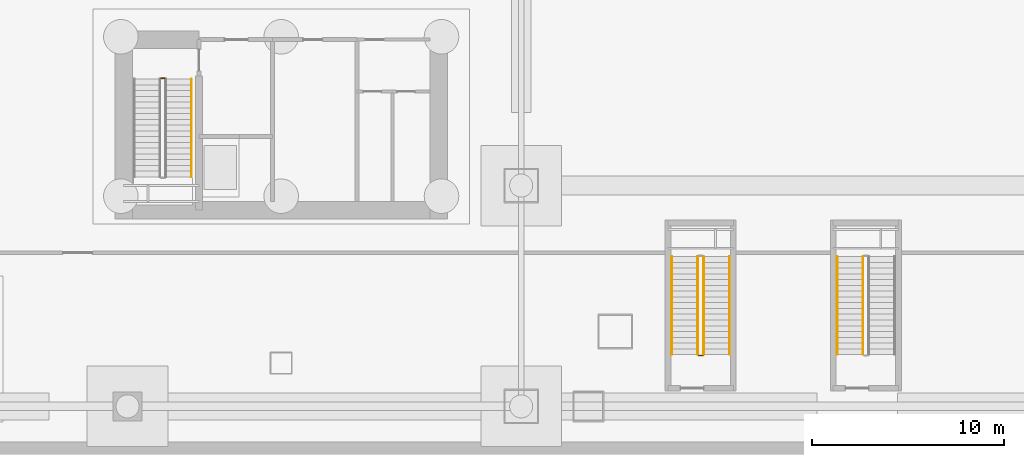
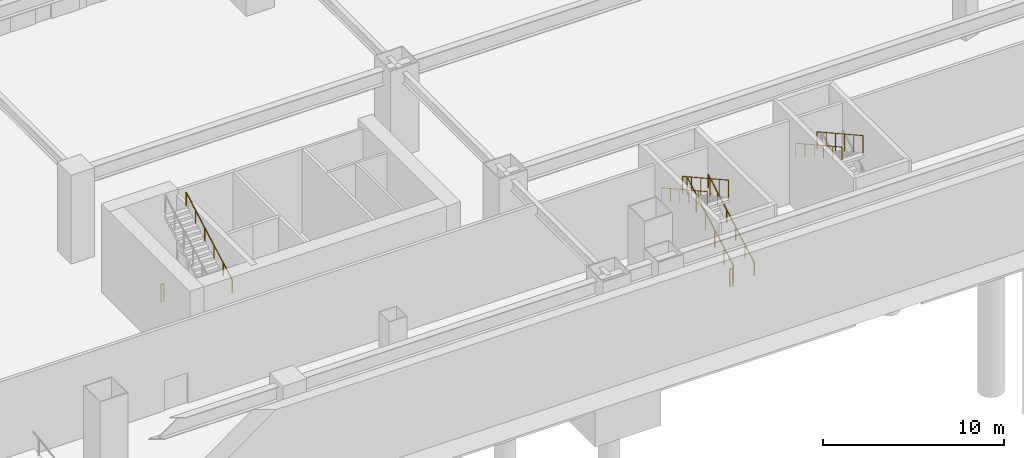
# One storey, part 16 of 20: 9 railings.
"""IFC4 building model written with IfcOpenShell, lengths in metres."""

from ifc_helpers import new_model, si_unit, direction, frame, origin, origin_2d, place, context, subcontext, project, spatial, circle, extrude, material, type_object, element, save


model = new_model("IFC4")

# Units and contexts
model_context = context("Model", 3, precision=1e-05, world=origin(), true_north=direction((0.0, 1.0)))
body_context = subcontext(model_context, "Body", "Model", "MODEL_VIEW")
ifc_project = project(units=[si_unit("LENGTHUNIT", "METRE"), si_unit("AREAUNIT", "SQUARE_METRE"), si_unit("VOLUMEUNIT", "CUBIC_METRE"), si_unit("PLANEANGLEUNIT", "RADIAN"), si_unit("MASSUNIT", "GRAM", prefix="KILO")], contexts=[model_context])

# Site, building, storey
site_placement = place(None, origin())
site = spatial("IfcSite", under=ifc_project, at=site_placement, CompositionType="ELEMENT")
building_placement = place(site_placement, origin())
building = spatial("IfcBuilding", under=site, at=building_placement, Name="Qiaolan Cultural Towers", CompositionType="ELEMENT")
storey_placement = place(building_placement, frame((0.0, 0.0, -12.0)))
storey = spatial("IfcBuildingStorey", under=building, at=storey_placement, Name="B2", CompositionType="ELEMENT", Elevation=-12.0)

# Railings
ifc_material_1 = material(Name="Galvanized Painted Steel Stair Guardrail", Category="steel")
railing_type_1 = type_object("IfcRailingType", Name="RL-STAIR-GRD", PredefinedType="GUARDRAIL", material=ifc_material_1)
railing_1_placement = place(storey_placement, frame((23.739990234375, 19.60009765625, 0.0)))
element("IfcRailing", 1, at=railing_1_placement, inside=storey, type_object=railing_type_1, Name="B2 ST-W1 stair guard 4", PredefinedType="GUARDRAIL", context=body_context, shape_type="SweptSolid", body=[
    extrude(circle(Radius=0.02392578125, at=origin_2d()), frame((0.0, 0.0, 1.17578125), z_axis=(1.0, 0.0, 0.0), x_axis=(0.0, 1.0, 0.0)), (0.0, 0.0, 1.0), 0.199951171875),
    extrude(circle(Radius=0.02099609375, at=origin_2d()), origin(), (0.0, 0.0, 1.0), 1.15185546875),
    extrude(circle(Radius=0.02099609375, at=origin_2d()), frame((0.199951171875, 0.0, 0.0)), (0.0, 0.0, 1.0), 1.15185546875),
])
railing_2_placement = place(storey_placement, frame((52.0, 5.199951171875, 0.166748046875)))
element("IfcRailing", 2, at=railing_2_placement, inside=storey, type_object=railing_type_1, Name="B2 ST-M1 stair guard 1", PredefinedType="GUARDRAIL", context=body_context, shape_type="SweptSolid", body=[
    extrude(circle(Radius=0.02392578125, at=origin_2d()), frame((0.0, 0.0, 1.17578125), z_axis=(0.0, 0.874167145328, 0.485625166182), x_axis=(-1.0, 0.0, 0.0)), (0.0, 0.0, 1.0), 5.834228515625),
    extrude(circle(Radius=0.02099609375, at=origin_2d()), origin(), (0.0, 0.0, 1.0), 1.15185546875),
    extrude(circle(Radius=0.02099609375, at=origin_2d()), frame((0.0, 1.02001953125, 0.566650390625)), (0.0, 0.0, 1.0), 1.15185546875),
    extrude(circle(Radius=0.02099609375, at=origin_2d()), frame((0.0, 2.0400390625, 1.13330078125)), (0.0, 0.0, 1.0), 1.15185546875),
    extrude(circle(Radius=0.02099609375, at=origin_2d()), frame((0.0, 3.06005859375, 1.699951171875)), (0.0, 0.0, 1.0), 1.15185546875),
    extrude(circle(Radius=0.02099609375, at=origin_2d()), frame((0.0, 4.080078125, 2.2666015625)), (0.0, 0.0, 1.0), 1.15185546875),
    extrude(circle(Radius=0.02099609375, at=origin_2d()), frame((0.0, 5.10009765625, 2.833251953125)), (0.0, 0.0, 1.0), 1.15185546875),
])
railing_3_placement = place(storey_placement, frame((51.699951171875, 10.300048828125, 3.166748046875)))
element("IfcRailing", 3, at=railing_3_placement, inside=storey, type_object=railing_type_1, Name="B2 ST-M1 stair guard 3", PredefinedType="GUARDRAIL", context=body_context, shape_type="SweptSolid", body=[
    extrude(circle(Radius=0.02392578125, at=origin_2d()), frame((0.0, 0.0, 1.17578125), z_axis=(0.0, -0.874167145328, 0.485625166182), x_axis=(1.0, 0.0, 0.0)), (0.0, 0.0, 1.0), 5.834228515625),
    extrude(circle(Radius=0.02099609375, at=origin_2d()), origin(), (0.0, 0.0, 1.0), 1.15185546875),
    extrude(circle(Radius=0.02099609375, at=origin_2d()), frame((0.0, -1.02001953125, 0.566650390625)), (0.0, 0.0, 1.0), 1.15185546875),
    extrude(circle(Radius=0.02099609375, at=origin_2d()), frame((0.0, -2.0400390625, 1.13330078125)), (0.0, 0.0, 1.0), 1.15185546875),
    extrude(circle(Radius=0.02099609375, at=origin_2d()), frame((0.0, -3.06005859375, 1.699951171875)), (0.0, 0.0, 1.0), 1.15185546875),
    extrude(circle(Radius=0.02099609375, at=origin_2d()), frame((0.0, -4.080078125, 2.2666015625)), (0.0, 0.0, 1.0), 1.15185546875),
    extrude(circle(Radius=0.02099609375, at=origin_2d()), frame((0.0, -5.10009765625, 2.833251953125)), (0.0, 0.0, 1.0), 1.15185546875),
])
railing_4_placement = place(storey_placement, frame((51.949951171875, 5.14990234375, 0.0)))
element("IfcRailing", 4, at=railing_4_placement, inside=storey, type_object=railing_type_1, Name="B2 ST-M1 stair guard 4", PredefinedType="GUARDRAIL", context=body_context, shape_type="SweptSolid", body=[
    extrude(circle(Radius=0.02392578125, at=origin_2d()), frame((0.0, 0.0, 1.17578125), z_axis=(-1.0, 0.0, 0.0), x_axis=(0.0, -1.0, 0.0)), (0.0, 0.0, 1.0), 0.199951171875),
    extrude(circle(Radius=0.02099609375, at=origin_2d()), origin(), (0.0, 0.0, 1.0), 1.15185546875),
    extrude(circle(Radius=0.02099609375, at=origin_2d()), frame((-0.199951171875, 0.0, 0.0)), (0.0, 0.0, 1.0), 1.15185546875),
])
railing_5_placement = place(storey_placement, frame((60.300048828125, 10.300048828125, 3.166748046875)))
element("IfcRailing", 5, at=railing_5_placement, inside=storey, type_object=railing_type_1, Name="B2 ST-M2 stair guard 3", PredefinedType="GUARDRAIL", context=body_context, shape_type="SweptSolid", body=[
    extrude(circle(Radius=0.02392578125, at=origin_2d()), frame((0.0, 0.0, 1.17578125), z_axis=(0.0, -0.874167145328, 0.485625166182), x_axis=(1.0, 0.0, 0.0)), (0.0, 0.0, 1.0), 5.834228515625),
    extrude(circle(Radius=0.02099609375, at=origin_2d()), origin(), (0.0, 0.0, 1.0), 1.15185546875),
    extrude(circle(Radius=0.02099609375, at=origin_2d()), frame((0.0, -1.02001953125, 0.566650390625)), (0.0, 0.0, 1.0), 1.15185546875),
    extrude(circle(Radius=0.02099609375, at=origin_2d()), frame((0.0, -2.0400390625, 1.13330078125)), (0.0, 0.0, 1.0), 1.15185546875),
    extrude(circle(Radius=0.02099609375, at=origin_2d()), frame((0.0, -3.06005859375, 1.699951171875)), (0.0, 0.0, 1.0), 1.15185546875),
    extrude(circle(Radius=0.02099609375, at=origin_2d()), frame((0.0, -4.080078125, 2.2666015625)), (0.0, 0.0, 1.0), 1.15185546875),
    extrude(circle(Radius=0.02099609375, at=origin_2d()), frame((0.0, -5.10009765625, 2.833251953125)), (0.0, 0.0, 1.0), 1.15185546875),
])
ifc_material_2 = material(Name="Stainless Steel S30408 Tubular Handrail", Category="steel")
railing_type_2 = type_object("IfcRailingType", Name="RL-STAIR-HR", PredefinedType="HANDRAIL", material=ifc_material_2)
for number, where, name in (
    (6, (25.330078125, 14.449951171875, 3.166748046875), "B2 ST-W1 stair handrail 2"),
    (7, (53.35009765625, 5.199951171875, 0.166748046875), "B2 ST-M1 stair handrail 1"),
):
    element("IfcRailing", number, at=place(storey_placement, frame(where)), inside=storey, type_object=railing_type_2, Name=name, PredefinedType="HANDRAIL", context=body_context, shape_type="SweptSolid", body=[
        extrude(circle(Radius=0.02392578125, at=origin_2d()), frame((0.0, 0.0, 0.8759765625), z_axis=(0.0, 0.874167145328, 0.485625166182), x_axis=(-1.0, 0.0, 0.0)), (0.0, 0.0, 1.0), 5.834228515625),
        extrude(circle(Radius=0.02099609375, at=origin_2d()), origin(), (0.0, 0.0, 1.0), 0.851806640625),
        extrude(circle(Radius=0.02099609375, at=origin_2d()), frame((0.0, 1.02001953125, 0.566650390625)), (0.0, 0.0, 1.0), 0.851806640625),
        extrude(circle(Radius=0.02099609375, at=origin_2d()), frame((0.0, 2.0400390625, 1.13330078125)), (0.0, 0.0, 1.0), 0.851806640625),
        extrude(circle(Radius=0.02099609375, at=origin_2d()), frame((0.0, 3.06005859375, 1.699951171875)), (0.0, 0.0, 1.0), 0.851806640625),
        extrude(circle(Radius=0.02099609375, at=origin_2d()), frame((0.0, 4.080078125, 2.2666015625)), (0.0, 0.0, 1.0), 0.851806640625),
        extrude(circle(Radius=0.02099609375, at=origin_2d()), frame((0.0, 5.10009765625, 2.833251953125)), (0.0, 0.0, 1.0), 0.851806640625),
    ])
for number, where, name in (
    (8, (50.35009765625, 10.300048828125, 3.166748046875), "B2 ST-M1 stair handrail 2"),
    (9, (58.949951171875, 10.300048828125, 3.166748046875), "B2 ST-M2 stair handrail 2"),
):
    element("IfcRailing", number, at=place(storey_placement, frame(where)), inside=storey, type_object=railing_type_2, Name=name, PredefinedType="HANDRAIL", context=body_context, shape_type="SweptSolid", body=[
        extrude(circle(Radius=0.02392578125, at=origin_2d()), frame((0.0, 0.0, 0.8759765625), z_axis=(0.0, -0.874167145328, 0.485625166182), x_axis=(1.0, 0.0, 0.0)), (0.0, 0.0, 1.0), 5.834228515625),
        extrude(circle(Radius=0.02099609375, at=origin_2d()), origin(), (0.0, 0.0, 1.0), 0.851806640625),
        extrude(circle(Radius=0.02099609375, at=origin_2d()), frame((0.0, -1.02001953125, 0.566650390625)), (0.0, 0.0, 1.0), 0.851806640625),
        extrude(circle(Radius=0.02099609375, at=origin_2d()), frame((0.0, -2.0400390625, 1.13330078125)), (0.0, 0.0, 1.0), 0.851806640625),
        extrude(circle(Radius=0.02099609375, at=origin_2d()), frame((0.0, -3.06005859375, 1.699951171875)), (0.0, 0.0, 1.0), 0.851806640625),
        extrude(circle(Radius=0.02099609375, at=origin_2d()), frame((0.0, -4.080078125, 2.2666015625)), (0.0, 0.0, 1.0), 0.851806640625),
        extrude(circle(Radius=0.02099609375, at=origin_2d()), frame((0.0, -5.10009765625, 2.833251953125)), (0.0, 0.0, 1.0), 0.851806640625),
    ])

save(model, "model.ifc")
